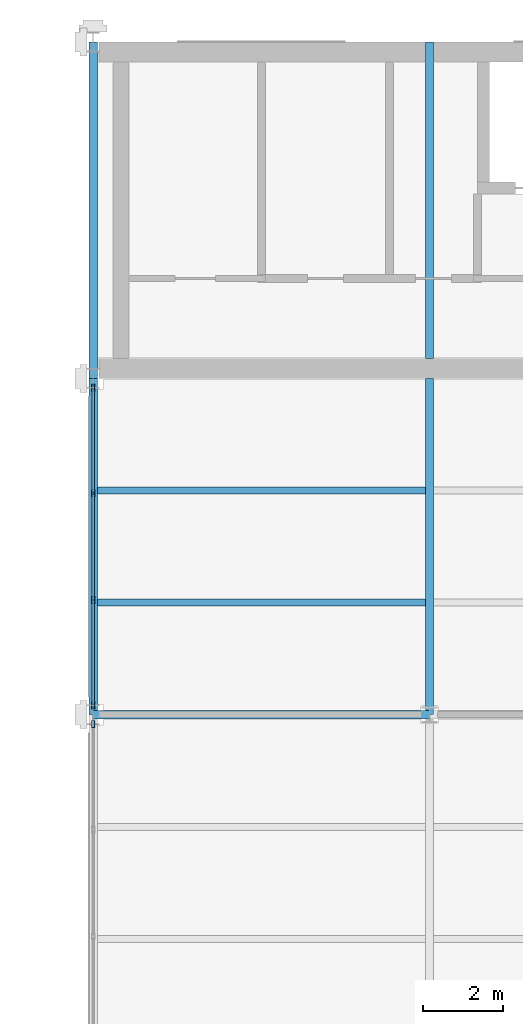
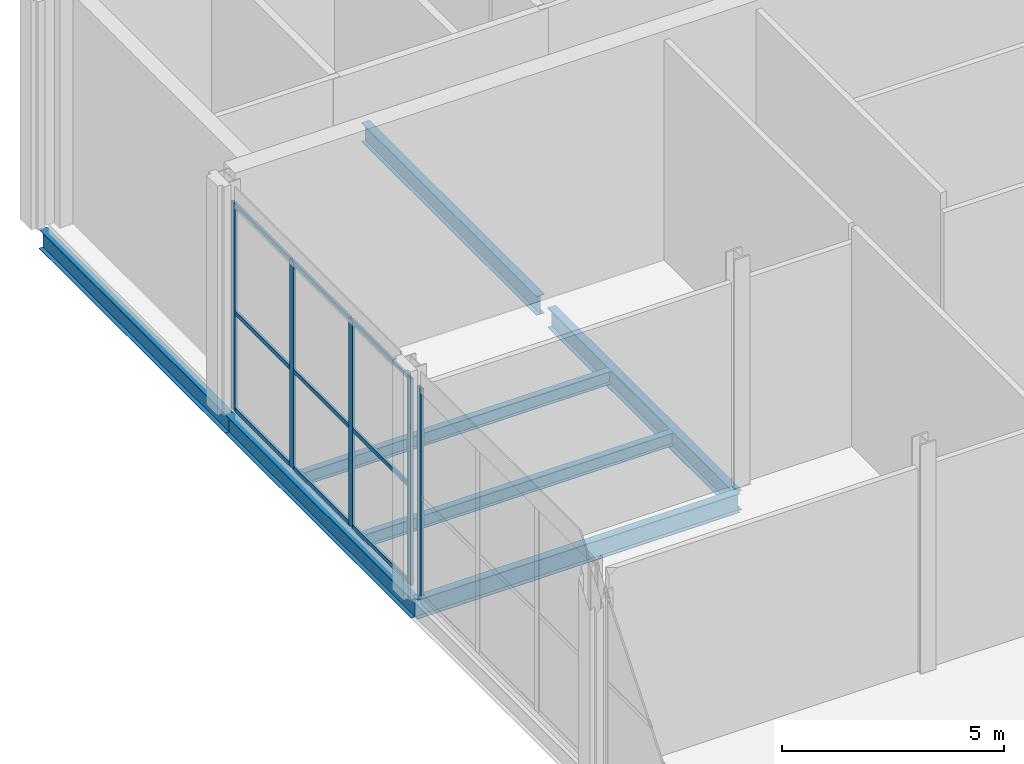
# One storey, part 37 of 77: 14 members, 7 beams, 2 elements without a shape of their own.
"""IFC4 building model written with IfcOpenShell, lengths in metres."""

from ifc_helpers import new_model, si_unit, direction, frame, origin, origin_2d, place, context, subcontext, project, spatial, hollow_rectangle, i_section, extrude, material, material_profile, profile_set, type_object, element, aggregate, save


model = new_model("IFC4")

# Units and contexts
model_context = context("Model", 3, precision=1e-05, world=origin(), true_north=direction((0.0, 1.0)))
body_context = subcontext(model_context, "Body", "Model", "MODEL_VIEW")
ifc_project = project(units=[si_unit("LENGTHUNIT", "METRE"), si_unit("AREAUNIT", "SQUARE_METRE"), si_unit("VOLUMEUNIT", "CUBIC_METRE"), si_unit("PLANEANGLEUNIT", "RADIAN"), si_unit("MASSUNIT", "GRAM", prefix="KILO")], contexts=[model_context])

# Site, building, storey
site_placement = place(None, origin())
site = spatial("IfcSite", under=ifc_project, at=site_placement, CompositionType="ELEMENT")
building_placement = place(site_placement, origin())
building = spatial("IfcBuilding", under=site, at=building_placement, Name="Catenary Quay Ferry Terminal", CompositionType="ELEMENT")
storey_placement = place(building_placement, frame((0.0, 0.0, 10.800048828125)))
storey = spatial("IfcBuildingStorey", under=building, at=storey_placement, Name="L02", CompositionType="ELEMENT", Elevation=10.800048828125)

# Beams
ifc_material_1 = material(Name="Steel S355", Category="steel")
ifc_material_profile_1 = material_profile(ifc_material_1, i_section(OverallWidth=0.208740234375, OverallDepth=0.5283203125, WebThickness=0.009521484375, FlangeThickness=0.01318359375, at=origin_2d()), Name="UB 533x210x82")
ifc_profile_set_1 = profile_set([ifc_material_profile_1], Name="Steel S355")
beam_type_1 = type_object("IfcBeamType", Name="B5 UB 533x210x82", PredefinedType="BEAM", material=ifc_profile_set_1)
for number, where, z_axis, x_axis, name in (
    (1, (25.199951171875, 193.199951171875, -0.51416015625), (1.0, 0.0, 0.0), (0.0, 1.0, 0.0), "Beam B5-015"),
    (2, (25.199951171875, 193.199951171875, -0.51416015625), (0.0, 1.0, 0.0), (-1.0, 0.0, 0.0), "Beam B5-028"),
):
    element("IfcBeam", number, at=place(storey_placement, frame(where, z_axis=z_axis, x_axis=x_axis)), inside=storey, type_object=beam_type_1, Name=name, PredefinedType="BEAM", context=body_context, shape_type="SweptSolid", body=[
        extrude(i_section(OverallWidth=0.208740234375, OverallDepth=0.5283203125, WebThickness=0.009521484375, FlangeThickness=0.01318359375, at=origin_2d()), origin(), (0.0, 0.0, 1.0), 8.400146484375),
    ])
beam_1_placement = place(storey_placement, frame((25.199951171875, 201.60009765625, -0.51416015625), z_axis=(0.0, 1.0, 0.0), x_axis=(-1.0, 0.0, 0.0)))
element("IfcBeam", 3, at=beam_1_placement, inside=storey, type_object=beam_type_1, Name="Beam B5-029", PredefinedType="BEAM", context=body_context, shape_type="SweptSolid", body=[
    extrude(i_section(OverallWidth=0.208740234375, OverallDepth=0.5283203125, WebThickness=0.009521484375, FlangeThickness=0.01318359375, at=origin_2d()), origin(), (0.0, 0.0, 1.0), 8.39990234375),
])
beam_2_placement = place(storey_placement, frame((33.60009765625, 202.10009765625, -0.51416015625), z_axis=(0.0, 1.0, 0.0), x_axis=(-1.0, 0.0, 0.0)))
element("IfcBeam", 4, at=beam_2_placement, inside=storey, type_object=beam_type_1, Name="Beam B5-030", PredefinedType="BEAM", context=body_context, shape_type="SweptSolid", body=[
    extrude(i_section(OverallWidth=0.208740234375, OverallDepth=0.5283203125, WebThickness=0.009521484375, FlangeThickness=0.01318359375, at=origin_2d()), origin(), (0.0, 0.0, 1.0), 7.89990234375),
])
ifc_material_2 = material(Name="Steel S355", Category="steel")
ifc_material_profile_2 = material_profile(ifc_material_2, i_section(OverallWidth=0.2099609375, OverallDepth=0.550048828125, WebThickness=0.010986328125, FlangeThickness=0.01708984375, at=origin_2d()), Name="IPE 550")
ifc_profile_set_2 = profile_set([ifc_material_profile_2], Name="Steel S355")
beam_type_2 = type_object("IfcBeamType", Name="B6 IPE 550", PredefinedType="BEAM", material=ifc_profile_set_2)
beam_3_placement = place(storey_placement, frame((33.60009765625, 193.199951171875, -0.525146484375), z_axis=(0.0, 1.0, 0.0), x_axis=(-1.0, 0.0, 0.0)))
element("IfcBeam", 5, at=beam_3_placement, inside=storey, type_object=beam_type_2, Name="Beam B6-004", PredefinedType="BEAM", context=body_context, shape_type="SweptSolid", body=[
    extrude(i_section(OverallWidth=0.2099609375, OverallDepth=0.550048828125, WebThickness=0.010986328125, FlangeThickness=0.01708984375, at=origin_2d()), origin(), (0.0, 0.0, 1.0), 8.400146484375),
])
ifc_material_3 = material(Name="Steel S355", Category="steel")
ifc_material_profile_3 = material_profile(ifc_material_3, i_section(OverallWidth=0.169921875, OverallDepth=0.360107421875, WebThickness=0.008056640625, FlangeThickness=0.0126953125, at=origin_2d()), Name="IPE 360")
ifc_profile_set_3 = profile_set([ifc_material_profile_3], Name="Steel S355")
beam_type_3 = type_object("IfcBeamType", Name="B7 IPE 360", PredefinedType="BEAM", material=ifc_profile_set_3)
for number, where, z_axis, x_axis, name in (
    (6, (25.303955078125, 196.0, -0.429931640625), (1.0, 0.0, 0.0), (0.0, 1.0, 0.0), "Beam B7-035"),
    (7, (25.303955078125, 198.800048828125, -0.429931640625), (1.0, 0.0, 0.0), (0.0, 1.0, 0.0), "Beam B7-040"),
):
    element("IfcBeam", number, at=place(storey_placement, frame(where, z_axis=z_axis, x_axis=x_axis)), inside=storey, type_object=beam_type_3, Name=name, PredefinedType="BEAM", context=body_context, shape_type="SweptSolid", body=[
        extrude(i_section(OverallWidth=0.169921875, OverallDepth=0.360107421875, WebThickness=0.008056640625, FlangeThickness=0.0126953125, at=origin_2d()), origin(), (0.0, 0.0, 1.0), 8.191162109375),
    ])

# Curtain wall, member
ifc_material_4 = material(Name="Aluminium and glass", Category="aluminium")
curtain_wall_type = type_object("IfcCurtainWallType", Name="CWW2", PredefinedType="NOTDEFINED", material=ifc_material_4)
curtain_wall_1_placement = place(storey_placement, origin())
curtain_wall_1 = element("IfcCurtainWall", 8, at=curtain_wall_1_placement, inside=storey, type_object=curtain_wall_type, Name="Wing curtain wall CW140", PredefinedType="NOTDEFINED")
ifc_material_5 = material(Name="Aluminium", Category="aluminium")
ifc_material_profile_4 = material_profile(ifc_material_5, hollow_rectangle(XDim=0.070068359375, YDim=0.179931640625, WallThickness=0.006103515625, at=origin_2d()), Name="MU3")
ifc_profile_set_4 = profile_set([ifc_material_profile_4], Name="Aluminium")
member_type_1 = type_object("IfcMemberType", Name="MU3", PredefinedType="MULLION", material=ifc_profile_set_4)
member_1_placement = place(storey_placement, frame((25.199951171875, 192.965087890625, 0.0), z_axis=(0.0, 0.0, 1.0), x_axis=(-1.0, 0.0, 0.0)))
member_1 = element("IfcMember", 9, at=member_1_placement, type_object=member_type_1, Name="CW140 mullion 4", PredefinedType="MULLION", context=body_context, shape_type="SweptSolid", body=[
    extrude(hollow_rectangle(XDim=0.070068359375, YDim=0.179931640625, WallThickness=0.006103515625, at=origin_2d()), origin(), (0.0, 0.0, 1.0), 5.699951171875),
])
aggregate(curtain_wall_1, [member_1])

# Curtain wall, members
curtain_wall_2_placement = place(storey_placement, origin())
curtain_wall_2 = element("IfcCurtainWall", 10, at=curtain_wall_2_placement, inside=storey, type_object=curtain_wall_type, Name="Wing curtain wall CW141", PredefinedType="NOTDEFINED")
member_2_placement = place(storey_placement, frame((25.199951171875, 193.43505859375, 0.0), z_axis=(0.0, 0.0, 1.0), x_axis=(-1.0, 0.0, 0.0)))
member_2 = element("IfcMember", 11, at=member_2_placement, type_object=member_type_1, Name="CW141 mullion 1", PredefinedType="MULLION", context=body_context, shape_type="SweptSolid", body=[
    extrude(hollow_rectangle(XDim=0.070068359375, YDim=0.179931640625, WallThickness=0.006103515625, at=origin_2d()), origin(), (0.0, 0.0, 1.0), 5.699951171875),
])
member_3_placement = place(storey_placement, frame((25.199951171875, 196.066650390625, 0.0), z_axis=(0.0, 0.0, 1.0), x_axis=(-1.0, 0.0, 0.0)))
member_3 = element("IfcMember", 12, at=member_3_placement, type_object=member_type_1, Name="CW141 mullion 2", PredefinedType="MULLION", context=body_context, shape_type="SweptSolid", body=[
    extrude(hollow_rectangle(XDim=0.070068359375, YDim=0.179931640625, WallThickness=0.006103515625, at=origin_2d()), origin(), (0.0, 0.0, 1.0), 5.699951171875),
])
member_4_placement = place(storey_placement, frame((25.199951171875, 198.7333984375, 0.0), z_axis=(0.0, 0.0, 1.0), x_axis=(-1.0, 0.0, 0.0)))
member_4 = element("IfcMember", 13, at=member_4_placement, type_object=member_type_1, Name="CW141 mullion 3", PredefinedType="MULLION", context=body_context, shape_type="SweptSolid", body=[
    extrude(hollow_rectangle(XDim=0.070068359375, YDim=0.179931640625, WallThickness=0.006103515625, at=origin_2d()), origin(), (0.0, 0.0, 1.0), 5.699951171875),
])
member_5_placement = place(storey_placement, frame((25.199951171875, 201.364990234375, 0.0), z_axis=(0.0, 0.0, 1.0), x_axis=(-1.0, 0.0, 0.0)))
member_5 = element("IfcMember", 14, at=member_5_placement, type_object=member_type_1, Name="CW141 mullion 4", PredefinedType="MULLION", context=body_context, shape_type="SweptSolid", body=[
    extrude(hollow_rectangle(XDim=0.070068359375, YDim=0.179931640625, WallThickness=0.006103515625, at=origin_2d()), origin(), (0.0, 0.0, 1.0), 5.699951171875),
])
ifc_material_6 = material(Name="Aluminium", Category="aluminium")
ifc_material_profile_5 = material_profile(ifc_material_6, hollow_rectangle(XDim=0.06005859375, YDim=0.1201171875, WallThickness=0.0048828125, at=origin_2d()), Name="TR3")
ifc_profile_set_5 = profile_set([ifc_material_profile_5], Name="Aluminium")
member_type_2 = type_object("IfcMemberType", Name="TR3", PredefinedType="USERDEFINED", material=ifc_profile_set_5)
member_6_placement = place(storey_placement, frame((25.199951171875, 193.469970703125, 0.030029296875), z_axis=(0.0, 1.0, 0.0), x_axis=(-1.0, 0.0, 0.0)))
member_6 = element("IfcMember", 15, at=member_6_placement, type_object=member_type_2, Name="CW141 transom 1.1", ObjectType="TRANSOM", PredefinedType="USERDEFINED", context=body_context, shape_type="SweptSolid", body=[
    extrude(hollow_rectangle(XDim=0.06005859375, YDim=0.1201171875, WallThickness=0.0048828125, at=origin_2d()), origin(), (0.0, 0.0, 1.0), 2.561767578125),
])
member_7_placement = place(storey_placement, frame((25.199951171875, 193.469970703125, 2.699951171875), z_axis=(0.0, 1.0, 0.0), x_axis=(-1.0, 0.0, 0.0)))
member_7 = element("IfcMember", 16, at=member_7_placement, type_object=member_type_2, Name="CW141 transom 1.2", ObjectType="TRANSOM", PredefinedType="USERDEFINED", context=body_context, shape_type="SweptSolid", body=[
    extrude(hollow_rectangle(XDim=0.06005859375, YDim=0.1201171875, WallThickness=0.0048828125, at=origin_2d()), origin(), (0.0, 0.0, 1.0), 2.561767578125),
])
member_8_placement = place(storey_placement, frame((25.199951171875, 193.469970703125, 5.669921875), z_axis=(0.0, 1.0, 0.0), x_axis=(-1.0, 0.0, 0.0)))
member_8 = element("IfcMember", 17, at=member_8_placement, type_object=member_type_2, Name="CW141 transom 1.3", ObjectType="TRANSOM", PredefinedType="USERDEFINED", context=body_context, shape_type="SweptSolid", body=[
    extrude(hollow_rectangle(XDim=0.06005859375, YDim=0.1201171875, WallThickness=0.0048828125, at=origin_2d()), origin(), (0.0, 0.0, 1.0), 2.561767578125),
])
member_9_placement = place(storey_placement, frame((25.199951171875, 196.1015625, 0.030029296875), z_axis=(0.0, 1.0, 0.0), x_axis=(-1.0, 0.0, 0.0)))
member_9 = element("IfcMember", 18, at=member_9_placement, type_object=member_type_2, Name="CW141 transom 2.1", ObjectType="TRANSOM", PredefinedType="USERDEFINED", context=body_context, shape_type="SweptSolid", body=[
    extrude(hollow_rectangle(XDim=0.06005859375, YDim=0.1201171875, WallThickness=0.0048828125, at=origin_2d()), origin(), (0.0, 0.0, 1.0), 2.5966796875),
])
member_10_placement = place(storey_placement, frame((25.199951171875, 196.1015625, 2.699951171875), z_axis=(0.0, 1.0, 0.0), x_axis=(-1.0, 0.0, 0.0)))
member_10 = element("IfcMember", 19, at=member_10_placement, type_object=member_type_2, Name="CW141 transom 2.2", ObjectType="TRANSOM", PredefinedType="USERDEFINED", context=body_context, shape_type="SweptSolid", body=[
    extrude(hollow_rectangle(XDim=0.06005859375, YDim=0.1201171875, WallThickness=0.0048828125, at=origin_2d()), origin(), (0.0, 0.0, 1.0), 2.5966796875),
])
member_11_placement = place(storey_placement, frame((25.199951171875, 196.1015625, 5.669921875), z_axis=(0.0, 1.0, 0.0), x_axis=(-1.0, 0.0, 0.0)))
member_11 = element("IfcMember", 20, at=member_11_placement, type_object=member_type_2, Name="CW141 transom 2.3", ObjectType="TRANSOM", PredefinedType="USERDEFINED", context=body_context, shape_type="SweptSolid", body=[
    extrude(hollow_rectangle(XDim=0.06005859375, YDim=0.1201171875, WallThickness=0.0048828125, at=origin_2d()), origin(), (0.0, 0.0, 1.0), 2.5966796875),
])
member_12_placement = place(storey_placement, frame((25.199951171875, 198.768310546875, 0.030029296875), z_axis=(0.0, 1.0, 0.0), x_axis=(-1.0, 0.0, 0.0)))
member_12 = element("IfcMember", 21, at=member_12_placement, type_object=member_type_2, Name="CW141 transom 3.1", ObjectType="TRANSOM", PredefinedType="USERDEFINED", context=body_context, shape_type="SweptSolid", body=[
    extrude(hollow_rectangle(XDim=0.06005859375, YDim=0.1201171875, WallThickness=0.0048828125, at=origin_2d()), origin(), (0.0, 0.0, 1.0), 2.561767578125),
])
member_13_placement = place(storey_placement, frame((25.199951171875, 198.768310546875, 2.699951171875), z_axis=(0.0, 1.0, 0.0), x_axis=(-1.0, 0.0, 0.0)))
member_13 = element("IfcMember", 22, at=member_13_placement, type_object=member_type_2, Name="CW141 transom 3.2", ObjectType="TRANSOM", PredefinedType="USERDEFINED", context=body_context, shape_type="SweptSolid", body=[
    extrude(hollow_rectangle(XDim=0.06005859375, YDim=0.1201171875, WallThickness=0.0048828125, at=origin_2d()), origin(), (0.0, 0.0, 1.0), 2.561767578125),
])
member_14_placement = place(storey_placement, frame((25.199951171875, 198.768310546875, 5.669921875), z_axis=(0.0, 1.0, 0.0), x_axis=(-1.0, 0.0, 0.0)))
member_14 = element("IfcMember", 23, at=member_14_placement, type_object=member_type_2, Name="CW141 transom 3.3", ObjectType="TRANSOM", PredefinedType="USERDEFINED", context=body_context, shape_type="SweptSolid", body=[
    extrude(hollow_rectangle(XDim=0.06005859375, YDim=0.1201171875, WallThickness=0.0048828125, at=origin_2d()), origin(), (0.0, 0.0, 1.0), 2.561767578125),
])
aggregate(curtain_wall_2, [member_2, member_3, member_4, member_5, member_6, member_7, member_8, member_9, member_10, member_11, member_12, member_13, member_14])

save(model, "model.ifc")
